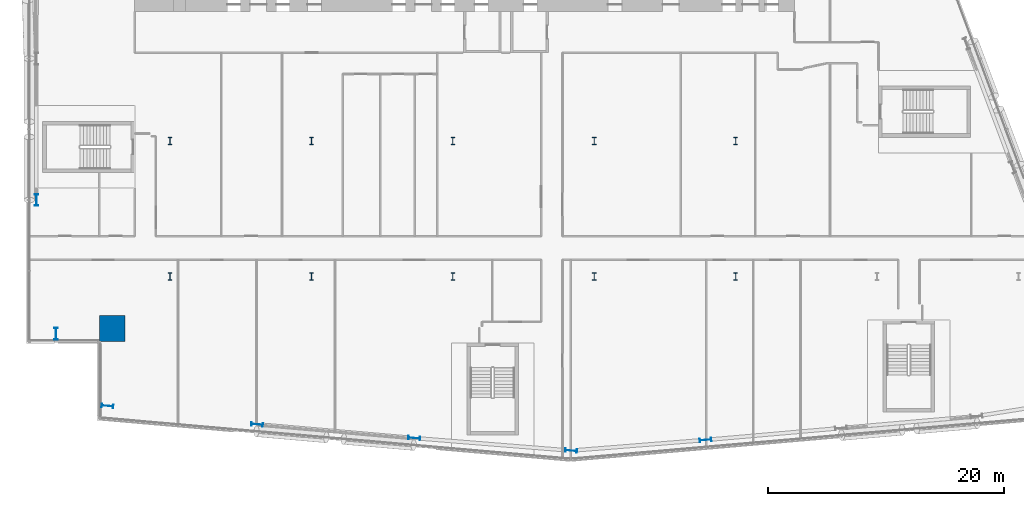
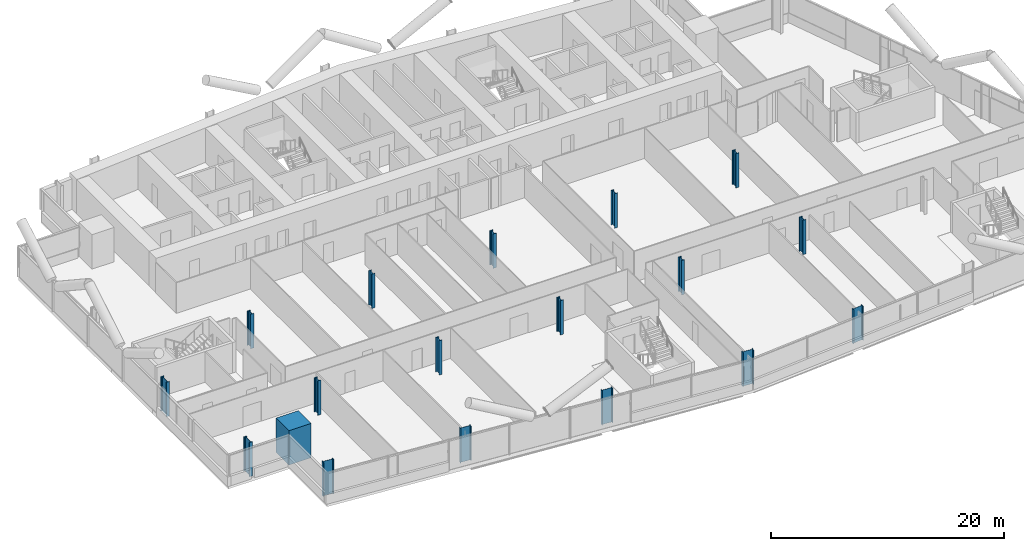
# One storey, part 1 of 27: 18 columns.
"""IFC4 building model written with IfcOpenShell, lengths in metres."""

from ifc_helpers import new_model, si_unit, direction, frame, origin, origin_2d, place, context, subcontext, project, spatial, rectangle, i_section, extrude, material, material_profile, profile_set, type_object, element, save


model = new_model("IFC4")

# Units and contexts
model_context = context("Model", 3, precision=1e-05, world=origin(), true_north=direction((0.0, 1.0)))
body_context = subcontext(model_context, "Body", "Model", "MODEL_VIEW")
ifc_project = project(units=[si_unit("LENGTHUNIT", "METRE"), si_unit("AREAUNIT", "SQUARE_METRE"), si_unit("VOLUMEUNIT", "CUBIC_METRE"), si_unit("PLANEANGLEUNIT", "RADIAN"), si_unit("MASSUNIT", "GRAM", prefix="KILO")], contexts=[model_context])

# Site, building, storey
site_placement = place(None, origin())
site = spatial("IfcSite", under=ifc_project, at=site_placement, CompositionType="ELEMENT")
building_placement = place(site_placement, origin())
building = spatial("IfcBuilding", under=site, at=building_placement, Name="Wharfspan Tower", CompositionType="ELEMENT")
storey_placement = place(building_placement, frame((0.0, 0.0, 84.699951)))
storey = spatial("IfcBuildingStorey", under=building, at=storey_placement, Name="L18", CompositionType="ELEMENT", Elevation=84.699951)

# Columns
ifc_material_1 = material(Name="Steel S355J2", Category="steel")
ifc_material_profile_1 = material_profile(ifc_material_1, i_section(OverallWidth=0.302002, OverallDepth=1.008057, WebThickness=0.020996, FlangeThickness=0.040039, FilletRadius=0.030029, at=origin_2d()))
ifc_profile_set_1 = profile_set([ifc_material_profile_1], Name="Steel S355J2")
column_type_1 = type_object("IfcColumnType", Name="Column HEM 1000", PredefinedType="COLUMN", material=ifc_profile_set_1)
for number, where, z_axis, x_axis, name in (
    (1, (6.694336, 0.528564, 0.0), (0.0, 0.0, 1.0), (-0.087156, -0.996198, 0.0), "Perimeter column PS1.1 L18"),
    (2, (19.390869, -1.033936, 0.0), (0.0, 0.0, 1.0), (-0.087156, -0.996198, 0.0), "Perimeter column PS1.2 L18"),
    (3, (32.724121, -2.200439, 0.0), (0.0, 0.0, 1.0), (-0.087156, -0.996198, 0.0), "Perimeter column PS1.3 L18"),
    (4, (46.04248, -3.268066, 0.0), (0.0, 0.0, 1.0), (-0.087156, -0.996198, 0.0), "Perimeter column PS1.4 L18"),
    (5, (57.442383, -2.36084, 0.0), (0.0, 0.0, 1.0), (0.087156, -0.996198, 0.0), "Perimeter column PS2.1 L18"),
    (6, (0.659912, 18.0, 0.0), (0.0, 0.0, 1.0), (-1.0, 0.0, 0.0), "Perimeter column PW.2 L18"),
    (7, (2.331787, 6.66748, 0.0), (0.0, 0.0, 1.0), (-1.0, 0.0, 0.0), "Perimeter column PW.3 L18"),
):
    element("IfcColumn", number, at=place(storey_placement, frame(where, z_axis=z_axis, x_axis=x_axis)), inside=storey, type_object=column_type_1, Name=name, PredefinedType="COLUMN", context=body_context, shape_type="SweptSolid", body=[
        extrude(i_section(OverallWidth=0.302002, OverallDepth=1.008057, WebThickness=0.020996, FlangeThickness=0.040039, FilletRadius=0.030029, at=origin_2d()), origin(), (0.0, 0.0, 1.0), 3.600098),
    ])
ifc_material_profile_2 = material_profile(ifc_material_1, i_section(OverallWidth=0.304932, OverallDepth=0.620117, WebThickness=0.020996, FlangeThickness=0.040039, FilletRadius=0.0271, at=origin_2d()))
ifc_profile_set_2 = profile_set([ifc_material_profile_2], Name="Steel S355J2")
column_type_2 = type_object("IfcColumnType", Name="Column HEM 600", PredefinedType="COLUMN", material=ifc_profile_set_2)
for number, where, z_axis, x_axis, name in (
    (8, (12.0, 11.5, 0.0), (0.0, 0.0, 1.0), (1.0, 0.0, 0.0), "Interior column I.1.1 L18"),
    (9, (24.0, 11.5, 0.0), (0.0, 0.0, 1.0), (1.0, 0.0, 0.0), "Interior column I.1.2 L18"),
    (10, (36.0, 11.5, 0.0), (0.0, 0.0, 1.0), (1.0, 0.0, 0.0), "Interior column I.1.3 L18"),
    (11, (48.0, 11.5, 0.0), (0.0, 0.0, 1.0), (1.0, 0.0, 0.0), "Interior column I.1.4 L18"),
    (12, (60.0, 11.5, 0.0), (0.0, 0.0, 1.0), (1.0, 0.0, 0.0), "Interior column I.1.5 L18"),
    (13, (12.0, 23.0, 0.0), (0.0, 0.0, 1.0), (1.0, 0.0, 0.0), "Interior column I.2.1 L18"),
    (14, (24.0, 23.0, 0.0), (0.0, 0.0, 1.0), (1.0, 0.0, 0.0), "Interior column I.2.2 L18"),
    (15, (36.0, 23.0, 0.0), (0.0, 0.0, 1.0), (1.0, 0.0, 0.0), "Interior column I.2.3 L18"),
    (16, (48.0, 23.0, 0.0), (0.0, 0.0, 1.0), (1.0, 0.0, 0.0), "Interior column I.2.4 L18"),
    (17, (60.0, 23.0, 0.0), (0.0, 0.0, 1.0), (1.0, 0.0, 0.0), "Interior column I.2.5 L18"),
):
    element("IfcColumn", number, at=place(storey_placement, frame(where, z_axis=z_axis, x_axis=x_axis)), inside=storey, type_object=column_type_2, Name=name, PredefinedType="COLUMN", context=body_context, shape_type="SweptSolid", body=[
        extrude(i_section(OverallWidth=0.304932, OverallDepth=0.620117, WebThickness=0.020996, FlangeThickness=0.040039, FilletRadius=0.0271, at=origin_2d()), origin(), (0.0, 0.0, 1.0), 3.600098),
    ])
ifc_material_2 = material(Name="Concrete C70/85", Category="concrete")
ifc_material_profile_3 = material_profile(ifc_material_2, rectangle(XDim=2.199951, YDim=2.199951, at=origin_2d()))
ifc_profile_set_3 = profile_set([ifc_material_profile_3], Name="Concrete C70/85")
column_type_3 = type_object("IfcColumnType", Name="Mega column 2200 C70/85", PredefinedType="COLUMN", material=ifc_profile_set_3)
column_placement = place(storey_placement, frame((7.100098, 7.100098, 0.0), z_axis=(0.0, 0.0, 1.0), x_axis=(1.0, 0.0, 0.0)))
element("IfcColumn", 18, at=column_placement, inside=storey, type_object=column_type_3, Name="Mega column MC1 L18", PredefinedType="COLUMN", context=body_context, shape_type="SweptSolid", body=[
    extrude(rectangle(XDim=2.199951, YDim=2.199951, at=origin_2d()), origin(), (0.0, 0.0, 1.0), 3.600098),
])

save(model, "model.ifc")
